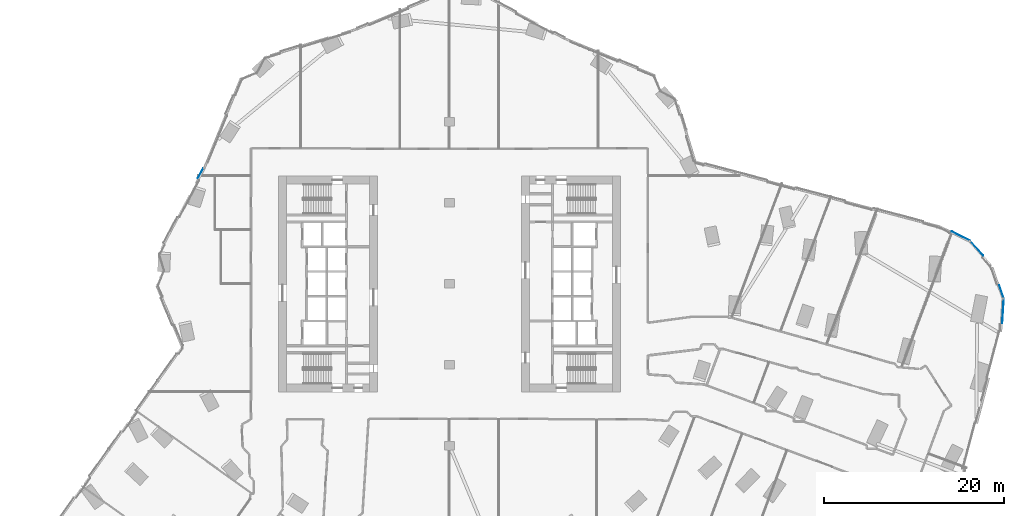
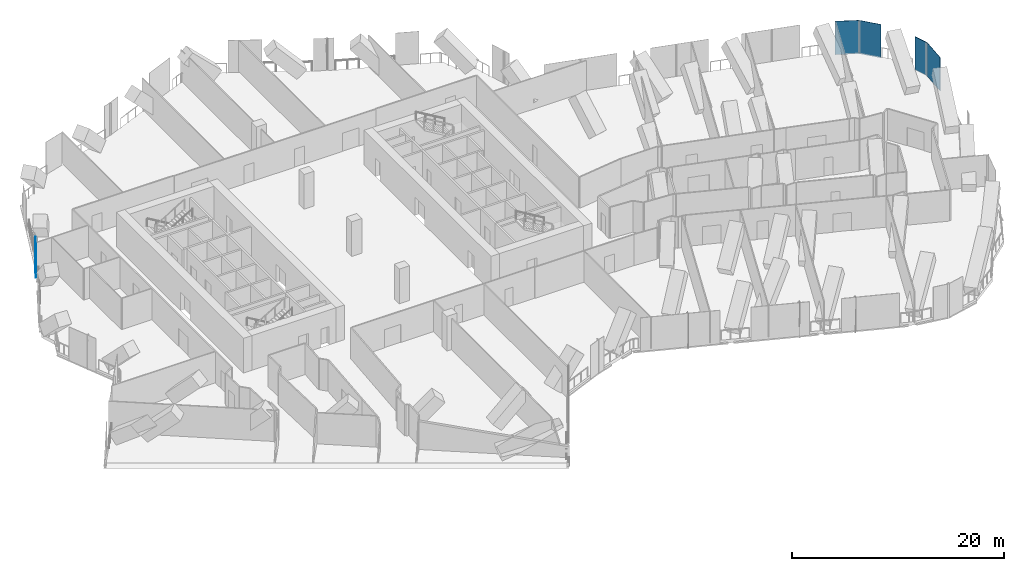
# One storey, part 22 of 34: 5 plates, 5 elements without a shape of their own.
"""IFC4 building model written with IfcOpenShell, lengths in metres."""

from ifc_helpers import new_model, si_unit, direction, frame, origin, origin_2d, place, context, subcontext, project, spatial, rectangle, extrude, material, layer, layer_set, type_object, element, aggregate, save


model = new_model("IFC4")

# Units and contexts
model_context = context("Model", 3, precision=1e-05, world=origin(), true_north=direction((0.0, 1.0)))
body_context = subcontext(model_context, "Body", "Model", "MODEL_VIEW")
ifc_project = project(units=[si_unit("LENGTHUNIT", "METRE"), si_unit("AREAUNIT", "SQUARE_METRE"), si_unit("VOLUMEUNIT", "CUBIC_METRE"), si_unit("PLANEANGLEUNIT", "RADIAN"), si_unit("MASSUNIT", "GRAM", prefix="KILO")], contexts=[model_context])

# Site, building, storey
site_placement = place(None, origin())
site = spatial("IfcSite", under=ifc_project, at=site_placement, CompositionType="ELEMENT")
building_placement = place(site_placement, origin())
building = spatial("IfcBuilding", under=site, at=building_placement, Name="Orlundy Tower", CompositionType="ELEMENT")
storey_placement = place(building_placement, frame((0.0, 0.0, 98.199951171875)))
storey = spatial("IfcBuildingStorey", under=building, at=storey_placement, Name="L24", CompositionType="ELEMENT", Elevation=98.199951171875)

# Curtain wall, plate
ifc_material_1 = material(Name="Aluminium bronze anodised", Category="aluminium")
curtain_wall_type = type_object("IfcCurtainWallType", Name="CW5 wall", PredefinedType="NOTDEFINED", material=ifc_material_1)
curtain_wall_1_placement = place(storey_placement, origin())
curtain_wall_1 = element("IfcCurtainWall", 1, at=curtain_wall_1_placement, inside=storey, type_object=curtain_wall_type, Name="CW5 run 030", PredefinedType="NOTDEFINED")
ifc_material_2 = material(Name="Tinted glass", Category="glass")
ifc_layer_1 = layer(ifc_material_2, 0.031982421875)
ifc_layer_set_1 = layer_set([ifc_layer_1], Name="CW5 glass panel 32")
plate_type_1 = type_object("IfcPlateType", Name="CW5 glass panel 32", PredefinedType="CURTAIN_PANEL", material=ifc_layer_set_1)
plate_1_placement = place(storey_placement, frame((56.828369140625, 5.30322265625, -0.259765625), z_axis=(0.0, 0.0, 1.0), x_axis=(0.898119249702, -0.439751990689, 0.0)))
plate_1 = element("IfcPlate", 2, at=plate_1_placement, type_object=plate_type_1, Name="CW5 panel", PredefinedType="CURTAIN_PANEL", context=body_context, shape_type="SweptSolid", body=[
    extrude(rectangle(XDim=2.305908203125, YDim=0.031982421875, at=origin_2d()), origin(), (0.0, 0.0, 1.0), 3.860107421875),
])
aggregate(curtain_wall_1, [plate_1])

curtain_wall_2_placement = place(storey_placement, origin())
curtain_wall_2 = element("IfcCurtainWall", 3, at=curtain_wall_2_placement, inside=storey, type_object=curtain_wall_type, Name="CW5 run 031", PredefinedType="NOTDEFINED")
plate_2_placement = place(storey_placement, frame((58.58349609375, 3.98046875, -0.259765625), z_axis=(0.0, 0.0, 1.0), x_axis=(0.661612712841, -0.749845729605, 0.0)))
plate_2 = element("IfcPlate", 4, at=plate_2_placement, type_object=plate_type_1, Name="CW5 panel", PredefinedType="CURTAIN_PANEL", context=body_context, shape_type="SweptSolid", body=[
    extrude(rectangle(XDim=2.17578125, YDim=0.031982421875, at=origin_2d()), origin(), (0.0, 0.0, 1.0), 3.860107421875),
])
aggregate(curtain_wall_2, [plate_2])

curtain_wall_3_placement = place(storey_placement, origin())
curtain_wall_3 = element("IfcCurtainWall", 5, at=curtain_wall_3_placement, inside=storey, type_object=curtain_wall_type, Name="CW5 run 033", PredefinedType="NOTDEFINED")
plate_3_placement = place(storey_placement, frame((61.50390625, -2.98486328125, -0.259765625), z_axis=(0.0, 0.0, 1.0), x_axis=(-0.062596654845, -0.998038906457, 0.0)))
plate_3 = element("IfcPlate", 6, at=plate_3_placement, type_object=plate_type_1, Name="CW5 panel", PredefinedType="CURTAIN_PANEL", context=body_context, shape_type="SweptSolid", body=[
    extrude(rectangle(XDim=2.747314453125, YDim=0.031982421875, at=origin_2d()), origin(), (0.0, 0.0, 1.0), 3.860107421875),
])
aggregate(curtain_wall_3, [plate_3])

curtain_wall_4_placement = place(storey_placement, origin())
curtain_wall_4 = element("IfcCurtainWall", 7, at=curtain_wall_4_placement, inside=storey, type_object=curtain_wall_type, Name="CW5 run 016", PredefinedType="NOTDEFINED")
ifc_material_3 = material(Name="Tinted glass", Category="glass")
ifc_layer_2 = layer(ifc_material_3, 0.031982421875)
ifc_layer_set_2 = layer_set([ifc_layer_2], Name="CW5 vent panel 32")
plate_type_2 = type_object("IfcPlateType", Name="CW5 vent panel 32", PredefinedType="CURTAIN_PANEL", material=ifc_layer_set_2)
plate_4_placement = place(storey_placement, frame((-27.65966796875, 12.27294921875, -0.259765625), z_axis=(0.0, 0.0, 1.0), x_axis=(0.46945376658, 0.882957055039, 0.0)))
plate_4 = element("IfcPlate", 8, at=plate_4_placement, type_object=plate_type_2, Name="CW5 panel", PredefinedType="CURTAIN_PANEL", context=body_context, shape_type="SweptSolid", body=[
    extrude(rectangle(XDim=1.25341796875, YDim=0.031982421875, at=origin_2d()), origin(), (0.0, 0.0, 1.0), 3.860107421875),
])
aggregate(curtain_wall_4, [plate_4])

curtain_wall_5_placement = place(storey_placement, origin())
curtain_wall_5 = element("IfcCurtainWall", 9, at=curtain_wall_5_placement, inside=storey, type_object=curtain_wall_type, Name="CW5 run 032", PredefinedType="NOTDEFINED")
plate_5_placement = place(storey_placement, frame((61.342041015625, -0.890625, -0.259765625), z_axis=(0.0, 0.0, 1.0), x_axis=(0.32422777573, -0.945979042815, 0.0)))
plate_5 = element("IfcPlate", 10, at=plate_5_placement, type_object=plate_type_2, Name="CW5 panel", PredefinedType="CURTAIN_PANEL", context=body_context, shape_type="SweptSolid", body=[
    extrude(rectangle(XDim=1.529296875, YDim=0.031982421875, at=origin_2d()), origin(), (0.0, 0.0, 1.0), 3.860107421875),
])
aggregate(curtain_wall_5, [plate_5])

save(model, "model.ifc")
